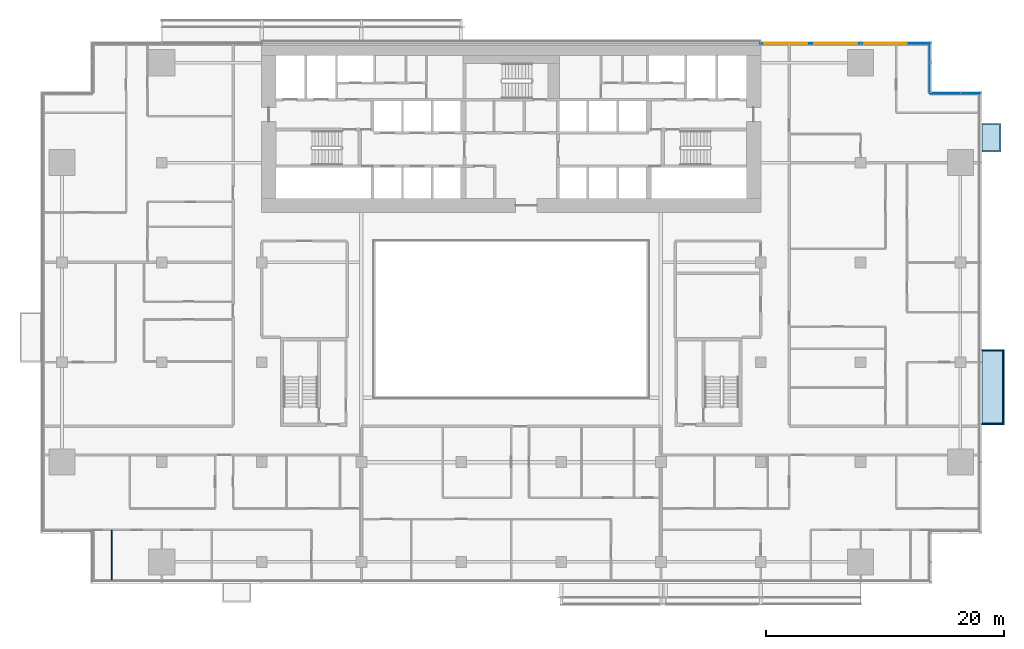
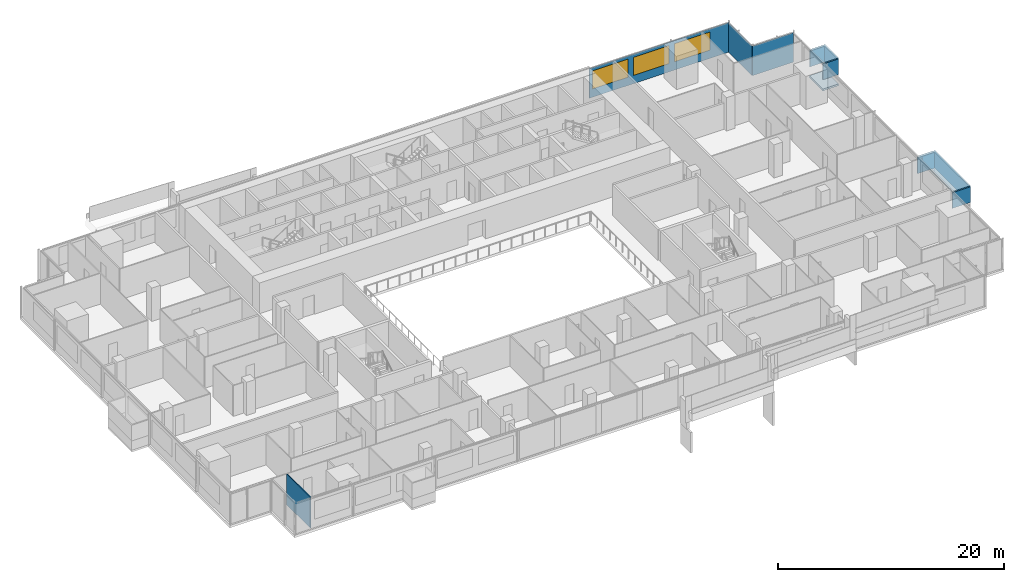
# One storey, part 16 of 27: 7 plates, 3 windows, 1 slab, 1 wall, 3 openings, 3 elements without a shape of their own.
"""IFC4 building model written with IfcOpenShell, lengths in metres."""

import ifcopenshell
import ifcopenshell.guid

model = None  # the IFC model being written
_history = None  # IfcOwnerHistory: only IFC2X3 demands one
_inside = {}  # id of a spatial element -> (the spatial element, [elements in it])
_under = {}  # id of a project, library or spatial element -> (it, [spatial elements below it])
_declared = {}  # id of a project -> (the project, [libraries it declares])
_typed = {}  # id of a type object -> (the type object, [elements of that type])
_made_of = {}  # id of a material, layer set ... -> (it, [elements and type objects made of it])


def new_model(schema):
    """Start an empty IFC model of exactly this schema.

    Asked for "IFC4X3", IfcOpenShell would pick the latest addendum, in which some entities
    have other attributes; the version numbers below select the first issue.
    IFC2X3 requires an IfcOwnerHistory on every rooted entity: one is made here for all.
    """
    global model, _history
    if schema == "IFC4X3":
        model = ifcopenshell.file(schema_version=(4, 3, 0, 0))
    else:
        model = ifcopenshell.file(schema=schema)
    _inside.clear()
    _under.clear()
    _declared.clear()
    _typed.clear()
    _made_of.clear()
    _history = None
    if model.schema == "IFC2X3":
        org = make("IfcOrganization", Name="unknown")
        user = make(
            "IfcPersonAndOrganization",
            ThePerson=make("IfcPerson", FamilyName="unknown"),
            TheOrganization=org,
        )
        app = make(
            "IfcApplication",
            ApplicationDeveloper=org,
            Version="unknown",
            ApplicationFullName="unknown",
            ApplicationIdentifier="unknown",
        )
        _history = make(
            "IfcOwnerHistory",
            OwningUser=user,
            OwningApplication=app,
            ChangeAction="ADDED",
            CreationDate=0,
        )
    return model


def make(cls, **values):
    """One entity of the class cls with the attributes given. An attribute that is None is left unset."""
    return model.create_entity(
        cls, **{name: value for name, value in values.items() if value is not None}
    )


def rooted(cls, **values):
    """An entity with a GlobalId (a new one), such as an element, a storey or a relation."""
    return make(cls, GlobalId=ifcopenshell.guid.new(), OwnerHistory=_history, **values)


def si_unit(unit_type, name, prefix=None):
    """IfcSIUnit, for example si_unit("LENGTHUNIT", "METRE", prefix="MILLI")."""
    return make("IfcSIUnit", UnitType=unit_type, Prefix=prefix, Name=name)


def assignment(units):
    """IfcUnitAssignment: the units of a project."""
    return None if units is None else make("IfcUnitAssignment", Units=units)


def point(xyz):
    """IfcCartesianPoint."""
    return None if xyz is None else make("IfcCartesianPoint", Coordinates=xyz)


def direction(xyz):
    """IfcDirection."""
    return None if xyz is None else make("IfcDirection", DirectionRatios=xyz)


def frame(location, z_axis=None, x_axis=None):
    """IfcAxis2Placement3D, a coordinate frame: its origin and axes. An axis left out is left unset."""
    return make(
        "IfcAxis2Placement3D",
        Location=point(location),
        Axis=direction(z_axis),
        RefDirection=direction(x_axis),
    )


def frame_2d(location, x_axis=None):
    """IfcAxis2Placement2D, a coordinate frame in the plane: its origin and x axis."""
    return make(
        "IfcAxis2Placement2D", Location=point(location), RefDirection=direction(x_axis)
    )


def origin():
    """The frame at (0, 0, 0) with its axes left unset."""
    return frame((0.0, 0.0, 0.0))


def place(relative_to, where):
    """IfcLocalPlacement: puts the frame where relative to a parent placement (None: the world)."""
    return make(
        "IfcLocalPlacement", PlacementRelTo=relative_to, RelativePlacement=where
    )


def context(
    kind, dimensions, precision=None, world=None, true_north=None, identifier=None
):
    """IfcGeometricRepresentationContext, for example the 3D "Model" context."""
    return make(
        "IfcGeometricRepresentationContext",
        ContextIdentifier=identifier,
        ContextType=kind,
        CoordinateSpaceDimension=dimensions,
        Precision=precision,
        WorldCoordinateSystem=world,
        TrueNorth=true_north,
    )


def subcontext(parent, identifier, kind, view, scale=None):
    """IfcGeometricRepresentationSubContext, for example "Body" below "Model"."""
    return make(
        "IfcGeometricRepresentationSubContext",
        ContextIdentifier=identifier,
        ContextType=kind,
        ParentContext=parent,
        TargetScale=scale,
        TargetView=view,
    )


def project(units=None, contexts=None):
    """IfcProject with its units and contexts."""
    return rooted(
        "IfcProject",
        Name="project",
        RepresentationContexts=contexts,
        UnitsInContext=assignment(units),
    )


def spatial(cls, under=None, at=None, **own):
    """A site, building, storey or space (cls), placed at a placement, below another one or the project."""
    s = rooted(cls, ObjectPlacement=at, **own)
    if under is not None:
        _under.setdefault(under.id(), (under, []))[1].append(s)
    return s


def polyline(points):
    """IfcPolyline through the points."""
    return make("IfcPolyline", Points=[point(p) for p in points])


def profile(cls, at=None, kind="AREA", **sizes):
    """A parametric profile (cls). Its sizes go by their IFC names, for example OverallWidth=200.0."""
    return make(cls, ProfileType=kind, Position=at, **sizes)


def rectangle(**sizes):
    """IfcRectangleProfileDef."""
    return profile("IfcRectangleProfileDef", **sizes)


def outline(outer, holes=None, kind="AREA"):
    """IfcArbitraryClosedProfileDef: a profile drawn as a closed curve; with holes, ...WithVoids."""
    if holes is None:
        return make("IfcArbitraryClosedProfileDef", ProfileType=kind, OuterCurve=outer)
    return make(
        "IfcArbitraryProfileDefWithVoids",
        ProfileType=kind,
        OuterCurve=outer,
        InnerCurves=holes,
    )


def extrude(swept, where, along, depth):
    """IfcExtrudedAreaSolid: the profile swept, set in the frame where, extruded along a direction by depth."""
    return make(
        "IfcExtrudedAreaSolid",
        SweptArea=swept,
        Position=where,
        ExtrudedDirection=direction(along),
        Depth=depth,
    )


def shape(context_of_items, identifier, shape_type, items):
    """IfcShapeRepresentation: the items that make up one representation, for example the "Body"."""
    return make(
        "IfcShapeRepresentation",
        ContextOfItems=context_of_items,
        RepresentationIdentifier=identifier,
        RepresentationType=shape_type,
        Items=items,
    )


def material(Name=None, Category=None):
    """IfcMaterial."""
    return make("IfcMaterial", Name=Name, Category=Category)


def layer(
    of_material, thickness, ventilated=None, Name=None, Category=None, Priority=None
):
    """IfcMaterialLayer: one layer of a wall or slab, of a material (None: an air gap)."""
    return make(
        "IfcMaterialLayer",
        Material=of_material,
        LayerThickness=thickness,
        IsVentilated=ventilated,
        Name=Name,
        Category=Category,
        Priority=Priority,
    )


def layer_set(layers, Name=None):
    """IfcMaterialLayerSet."""
    return make("IfcMaterialLayerSet", MaterialLayers=layers, LayerSetName=Name)


def made_of(thing, what):
    """Note that an element or type object is made of a material, layer set ...; save() writes the relation."""
    if what is not None:
        _made_of.setdefault(what.id(), (what, []))[1].append(thing)
    return thing


def type_object(cls, material=None, **own):
    """A type object (cls), such as IfcWallType, which elements share."""
    return made_of(rooted(cls, **own), material)


def element(
    cls,
    number,
    at=None,
    inside=None,
    cuts=None,
    type_object=None,
    material=None,
    context=None,
    identifier="Body",
    shape_type=None,
    held_by="IfcProductDefinitionShape",
    body=None,
    shapes=None,
    **own,
):
    """One element of the class cls, such as IfcWall. Its Tag is "e" and its number.

    at: its placement. inside: the storey or other place that contains it. cuts: it is an
    opening in that element (IfcRelVoidsElement). A single representation is given by context,
    identifier, shape_type and body (its items); several are given by shapes. held_by: the class
    of the entity that holds the representations. save() writes the other relations.
    """
    e = rooted(cls, Tag="e%d" % number, ObjectPlacement=at, **own)
    if body is not None:
        shapes = [shape(context, identifier, shape_type, body)]
    if shapes is not None:
        e.Representation = make(held_by, Representations=shapes)
    if inside is not None:
        _inside.setdefault(inside.id(), (inside, []))[1].append(e)
    if cuts is not None:
        rooted(
            "IfcRelVoidsElement", RelatingBuildingElement=cuts, RelatedOpeningElement=e
        )
    if type_object is not None:
        _typed.setdefault(type_object.id(), (type_object, []))[1].append(e)
    return made_of(e, material)


def fill(opening, filler):
    """IfcRelFillsElement: the door or window that sits in an opening."""
    return rooted(
        "IfcRelFillsElement",
        RelatingOpeningElement=opening,
        RelatedBuildingElement=filler,
    )


def aggregate(whole, parts):
    """IfcRelAggregates: a whole, such as a stair, and the parts it consists of."""
    return rooted("IfcRelAggregates", RelatingObject=whole, RelatedObjects=parts)


def save(model, path):
    """Write the relations noted so far, then the file.

    IfcRelAggregates (storeys below a building ...), IfcRelContainedInSpatialStructure (elements
    in a storey), IfcRelDefinesByType, IfcRelAssociatesMaterial and IfcRelDeclares: one each for
    every whole, place, type object, material and project.
    """
    for whole, parts in _under.values():
        aggregate(whole, parts)
    for where, things in _inside.values():
        rooted(
            "IfcRelContainedInSpatialStructure",
            RelatedElements=things,
            RelatingStructure=where,
        )
    for kind, things in _typed.values():
        rooted("IfcRelDefinesByType", RelatedObjects=things, RelatingType=kind)
    for what, things in _made_of.values():
        rooted("IfcRelAssociatesMaterial", RelatedObjects=things, RelatingMaterial=what)
    for by, libraries in _declared.values():
        rooted("IfcRelDeclares", RelatingContext=by, RelatedDefinitions=libraries)
    model.write(path)


model = new_model("IFC4")

# Units and contexts
model_context = context("Model", 3, precision=1e-05, world=origin(), true_north=direction((0.0, 1.0)))
body_context = subcontext(model_context, "Body", "Model", "MODEL_VIEW")
ifc_project = project(units=[si_unit("LENGTHUNIT", "METRE"), si_unit("AREAUNIT", "SQUARE_METRE"), si_unit("VOLUMEUNIT", "CUBIC_METRE"), si_unit("PLANEANGLEUNIT", "RADIAN"), si_unit("MASSUNIT", "GRAM", prefix="KILO")], contexts=[model_context])

# Site, building, storey
site_placement = place(None, origin())
site = spatial("IfcSite", under=ifc_project, at=site_placement, CompositionType="ELEMENT")
building_placement = place(site_placement, origin())
building = spatial("IfcBuilding", under=site, at=building_placement, Name="Saffron Gate Tower", CompositionType="ELEMENT")
storey_placement = place(building_placement, frame((0.0, 0.0, 66.0)))
storey = spatial("IfcBuildingStorey", under=building, at=storey_placement, Name="L15", CompositionType="ELEMENT", Elevation=66.0)

# Curtain wall, plate, openings, windows
ifc_material_1 = material(Name="Aluminium, bronze anodised", Category="aluminium")
curtain_wall_type_1 = type_object("IfcCurtainWallType", Name="CWS3 curtain wall rear facade", PredefinedType="NOTDEFINED", material=ifc_material_1)
curtain_wall_1_placement = place(storey_placement, origin())
curtain_wall_1 = element("IfcCurtainWall", 1, at=curtain_wall_1_placement, inside=storey, type_object=curtain_wall_type_1, Name="CWS3 run 7", PredefinedType="NOTDEFINED")
ifc_material_2 = material(Name="Fritted grey-tinted laminated glass", Category="glass")
ifc_layer_1 = layer(ifc_material_2, 0.028076171875)
ifc_layer_set_1 = layer_set([ifc_layer_1], Name="CWS3 fixed glass")
plate_type_1 = type_object("IfcPlateType", Name="CWS3 fixed glass", PredefinedType="CURTAIN_PANEL", material=ifc_layer_set_1)
plate_1_placement = place(storey_placement, frame((122.81201171875, 75.426025390625, 0.0), z_axis=(0.0, 0.0, 1.0), x_axis=(-1.0, 0.0, 0.0)))
plate_1 = element("IfcPlate", 2, at=plate_1_placement, type_object=plate_type_1, Name="CWS3 glass panel", PredefinedType="CURTAIN_PANEL", context=body_context, shape_type="SweptSolid", body=[
    extrude(rectangle(XDim=14.2470703125, YDim=0.028076171875, at=frame_2d((7.12353515625, 0.0))), origin(), (0.0, 0.0, 1.0), 3.199951171875),
])
opening_1_placement = place(plate_1_placement, frame((1.912109375, 0.0, 0.89990234375)))
opening_1 = element("IfcOpeningElement", 3, at=opening_1_placement, cuts=plate_1, Name="Opening W1", PredefinedType="OPENING", context=body_context, shape_type="SweptSolid", body=[
    extrude(rectangle(XDim=3.60009765625, YDim=1.949951171875, at=frame_2d((1.800048828125, 0.97509765625))), frame((0.0, 0.02392578125, 0.0), z_axis=(0.0, -1.0, 0.0), x_axis=(1.0, 0.0, 0.0)), (0.0, 0.0, 1.0), 0.048095703125),
])
opening_2_placement = place(plate_1_placement, frame((6.112060546875, 0.0, 0.89990234375)))
opening_2 = element("IfcOpeningElement", 4, at=opening_2_placement, cuts=plate_1, Name="Opening W1", PredefinedType="OPENING", context=body_context, shape_type="SweptSolid", body=[
    extrude(rectangle(XDim=3.60009765625, YDim=1.949951171875, at=frame_2d((1.800048828125, 0.97509765625))), frame((0.0, 0.02392578125, 0.0), z_axis=(0.0, -1.0, 0.0), x_axis=(1.0, 0.0, 0.0)), (0.0, 0.0, 1.0), 0.048095703125),
])
opening_3_placement = place(plate_1_placement, frame((10.31201171875, 0.0, 0.89990234375)))
opening_3 = element("IfcOpeningElement", 5, at=opening_3_placement, cuts=plate_1, Name="Opening W1", PredefinedType="OPENING", context=body_context, shape_type="SweptSolid", body=[
    extrude(rectangle(XDim=3.60009765625, YDim=1.949951171875, at=frame_2d((1.800048828125, 0.97509765625))), frame((0.0, 0.02392578125, 0.0), z_axis=(0.0, -1.0, 0.0), x_axis=(1.0, 0.0, 0.0)), (0.0, 0.0, 1.0), 0.048095703125),
])
ifc_material_3 = material(Name="Fritted bronze-tinted laminated glass in bronze frame", Category="glass")
ifc_layer_2 = layer(ifc_material_3, 0.06005859375)
ifc_layer_set_2 = layer_set([ifc_layer_2], Name="W1 operable panel 3600x1950")
window_type = type_object("IfcWindowType", Name="W1 operable panel 3600x1950", PartitioningType="DOUBLE_PANEL_HORIZONTAL", PredefinedType="WINDOW", material=ifc_layer_set_2)
window_1_placement = place(opening_1_placement, origin())
window_1 = element("IfcWindow", 6, at=window_1_placement, type_object=window_type, Name="W1 operable panel", OverallHeight=1.949951171875, OverallWidth=3.60009765625, PartitioningType="SINGLE_PANEL", PredefinedType="WINDOW", context=body_context, shape_type="SweptSolid", body=[
    extrude(rectangle(XDim=3.60009765625, YDim=1.949951171875, at=frame_2d((1.800048828125, 0.97509765625))), frame((0.0, 0.013671875, 0.0), z_axis=(0.0, -1.0, 0.0), x_axis=(1.0, 0.0, 0.0)), (0.0, 0.0, 1.0), 0.027587890625),
])
fill(opening_1, window_1)
window_2_placement = place(opening_2_placement, origin())
window_2 = element("IfcWindow", 7, at=window_2_placement, type_object=window_type, Name="W1 operable panel", OverallHeight=1.949951171875, OverallWidth=3.60009765625, PartitioningType="SINGLE_PANEL", PredefinedType="WINDOW", context=body_context, shape_type="SweptSolid", body=[
    extrude(rectangle(XDim=3.60009765625, YDim=1.949951171875, at=frame_2d((1.800048828125, 0.97509765625))), frame((0.0, 0.013671875, 0.0), z_axis=(0.0, -1.0, 0.0), x_axis=(1.0, 0.0, 0.0)), (0.0, 0.0, 1.0), 0.027587890625),
])
fill(opening_2, window_2)
window_3_placement = place(opening_3_placement, origin())
window_3 = element("IfcWindow", 8, at=window_3_placement, type_object=window_type, Name="W1 operable panel", OverallHeight=1.949951171875, OverallWidth=3.60009765625, PartitioningType="SINGLE_PANEL", PredefinedType="WINDOW", context=body_context, shape_type="SweptSolid", body=[
    extrude(rectangle(XDim=3.60009765625, YDim=1.949951171875, at=frame_2d((1.800048828125, 0.97509765625))), frame((0.0, 0.013671875, 0.0), z_axis=(0.0, -1.0, 0.0), x_axis=(1.0, 0.0, 0.0)), (0.0, 0.0, 1.0), 0.027587890625),
])
fill(opening_3, window_3)
aggregate(curtain_wall_1, [plate_1, window_1, window_2, window_3])

# Curtain wall, plate
curtain_wall_type_2 = type_object("IfcCurtainWallType", Name="CWS4 curtain wall corner returns", PredefinedType="NOTDEFINED", material=ifc_material_1)
curtain_wall_2_placement = place(storey_placement, origin())
curtain_wall_2 = element("IfcCurtainWall", 9, at=curtain_wall_2_placement, inside=storey, type_object=curtain_wall_type_2, Name="CWS4 run 5", PredefinedType="NOTDEFINED")
ifc_material_4 = material(Name="Fritted bronze-tinted laminated glass", Category="glass")
ifc_layer_3 = layer(ifc_material_4, 0.028076171875)
ifc_layer_set_3 = layer_set([ifc_layer_3], Name="CWS4 fixed glass")
plate_type_2 = type_object("IfcPlateType", Name="CWS4 fixed glass", PredefinedType="CURTAIN_PANEL", material=ifc_layer_set_3)
plate_2_placement = place(storey_placement, frame((127.011962890625, 71.22607421875, 0.0), z_axis=(0.0, 0.0, 1.0), x_axis=(-1.0, 0.0, 0.0)))
plate_2 = element("IfcPlate", 10, at=plate_2_placement, type_object=plate_type_2, Name="CWS4 glass panel", PredefinedType="CURTAIN_PANEL", context=body_context, shape_type="SweptSolid", body=[
    extrude(rectangle(XDim=4.171875, YDim=0.028076171875, at=frame_2d((2.0859375, 0.0))), origin(), (0.0, 0.0, 1.0), 3.199951171875),
])
aggregate(curtain_wall_2, [plate_2])

curtain_wall_3_placement = place(storey_placement, origin())
curtain_wall_3 = element("IfcCurtainWall", 11, at=curtain_wall_3_placement, inside=storey, type_object=curtain_wall_type_2, Name="CWS4 run 6", PredefinedType="NOTDEFINED")
plate_3_placement = place(storey_placement, frame((122.825927734375, 71.239990234375, 0.0), z_axis=(0.0, 0.0, 1.0), x_axis=(0.0, 1.0, 0.0)))
plate_3 = element("IfcPlate", 12, at=plate_3_placement, type_object=plate_type_2, Name="CWS4 glass panel", PredefinedType="CURTAIN_PANEL", context=body_context, shape_type="SweptSolid", body=[
    extrude(rectangle(XDim=4.172119140625, YDim=0.028076171875, at=frame_2d((2.0859375, 0.0))), origin(), (0.0, 0.0, 1.0), 3.199951171875),
])
aggregate(curtain_wall_3, [plate_3])

# Slab
ifc_material_5 = material(Name="Timber deck on bronze frame", Category="wood")
ifc_layer_4 = layer(ifc_material_5, 0.199951171875)
ifc_layer_set_4 = layer_set([ifc_layer_4], Name="WB1 box floor")
slab_type = type_object("IfcSlabType", Name="WB1 box floor", PredefinedType="FLOOR", material=ifc_layer_set_4)
slab_placement = place(storey_placement, frame((0.0, 0.0, -0.199951171875)))
element("IfcSlab", 13, at=slab_placement, inside=storey, type_object=slab_type, Name="WINDOW BOX floor", PredefinedType="FLOOR", context=body_context, shape_type="SweptSolid", body=[
    extrude(outline(polyline([(127.199951171875, 66.300048828125), (127.199951171875, 68.699951171875), (128.800048828125, 68.699951171875), (128.800048828125, 66.300048828125), (127.199951171875, 66.300048828125)])), origin(), (0.0, 0.0, 1.0), 0.199951171875),
])

# Plates
ifc_layer_5 = layer(ifc_material_1, 0.1201171875)
ifc_layer_set_5 = layer_set([ifc_layer_5], Name="WB2 box roof")
plate_type_3 = type_object("IfcPlateType", Name="WB2 box roof", PredefinedType="SHEET", material=ifc_layer_set_5)
plate_4_placement = place(storey_placement, frame((0.0, 0.0, 2.699951171875)))
element("IfcPlate", 14, at=plate_4_placement, inside=storey, type_object=plate_type_3, Name="WINDOW BOX roof", PredefinedType="SHEET", context=body_context, shape_type="SweptSolid", body=[
    extrude(outline(polyline([(127.199951171875, 43.35009765625), (127.199951171875, 49.64990234375), (129.06689453125, 49.64990234375), (129.06689453125, 43.35009765625), (127.199951171875, 43.35009765625)])), origin(), (0.0, 0.0, 1.0), 0.1201171875),
])
plate_5_placement = place(storey_placement, frame((0.0, 0.0, 2.699951171875)))
element("IfcPlate", 15, at=plate_5_placement, inside=storey, type_object=plate_type_3, Name="WINDOW BOX roof", PredefinedType="SHEET", context=body_context, shape_type="SweptSolid", body=[
    extrude(outline(polyline([(127.199951171875, 66.300048828125), (127.199951171875, 68.699951171875), (128.800048828125, 68.699951171875), (128.800048828125, 66.300048828125), (127.199951171875, 66.300048828125)])), origin(), (0.0, 0.0, 1.0), 0.1201171875),
])
ifc_material_6 = material(Name="Clear low-iron laminated glass", Category="glass")
ifc_layer_6 = layer(ifc_material_6, 0.10009765625)
ifc_layer_set_6 = layer_set([ifc_layer_6], Name="WB6 box glazing")
plate_type_4 = type_object("IfcPlateType", Name="WB6 box glazing", PredefinedType="SHEET", material=ifc_layer_set_6)
plate_6_placement = place(storey_placement, frame((0.0, 0.0, 1.0)))
element("IfcPlate", 16, at=plate_6_placement, inside=storey, type_object=plate_type_4, Name="WINDOW BOX glazing", PredefinedType="SHEET", context=body_context, shape_type="SweptSolid", body=[
    extrude(outline(polyline([(127.199951171875, 43.35009765625), (127.199951171875, 43.449951171875), (128.967041015625, 43.449951171875), (128.967041015625, 49.550048828125), (127.199951171875, 49.550048828125), (127.199951171875, 49.64990234375), (129.06689453125, 49.64990234375), (129.06689453125, 43.35009765625), (127.199951171875, 43.35009765625)])), origin(), (0.0, 0.0, 1.0), 1.699951171875),
])
plate_7_placement = place(storey_placement, frame((0.0, 0.0, 1.0)))
element("IfcPlate", 17, at=plate_7_placement, inside=storey, type_object=plate_type_4, Name="WINDOW BOX glazing", PredefinedType="SHEET", context=body_context, shape_type="SweptSolid", body=[
    extrude(outline(polyline([(127.199951171875, 66.300048828125), (127.199951171875, 66.39990234375), (128.699951171875, 66.39990234375), (128.699951171875, 68.60009765625), (127.199951171875, 68.60009765625), (127.199951171875, 68.699951171875), (128.800048828125, 68.699951171875), (128.800048828125, 66.300048828125), (127.199951171875, 66.300048828125)])), origin(), (0.0, 0.0, 1.0), 1.699951171875),
])

# Wall
ifc_material_7 = material(Name="Plasterboard on steel studs", Category="steel")
ifc_layer_7 = layer(ifc_material_7, 0.10009765625)
ifc_layer_set_7 = layer_set([ifc_layer_7], Name="PW1 Partition 100")
wall_type = type_object("IfcWallType", Name="PW1 Partition 100", PredefinedType="PARTITIONING", material=ifc_layer_set_7)
wall_placement = place(storey_placement, frame((54.0, 34.449951171875, 0.0), z_axis=(0.0, 0.0, 1.0), x_axis=(0.0, -1.0, 0.0)))
element("IfcWall", 18, at=wall_placement, inside=storey, type_object=wall_type, Name="Partition A3-51", PredefinedType="PARTITIONING", context=body_context, shape_type="SweptSolid", body=[
    extrude(rectangle(XDim=4.169921875, YDim=0.10009765625, at=frame_2d((2.0849609375, 0.0))), origin(), (0.0, 0.0, 1.0), 3.320068359375),
])

save(model, "model.ifc")
